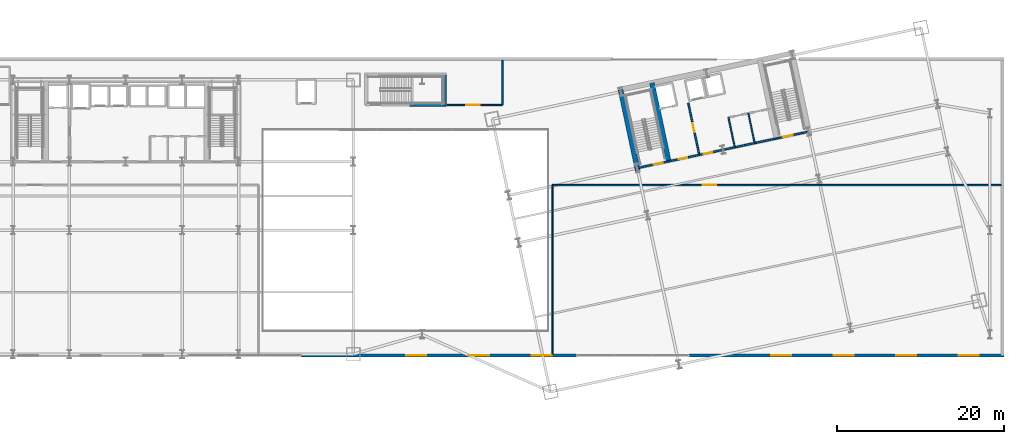
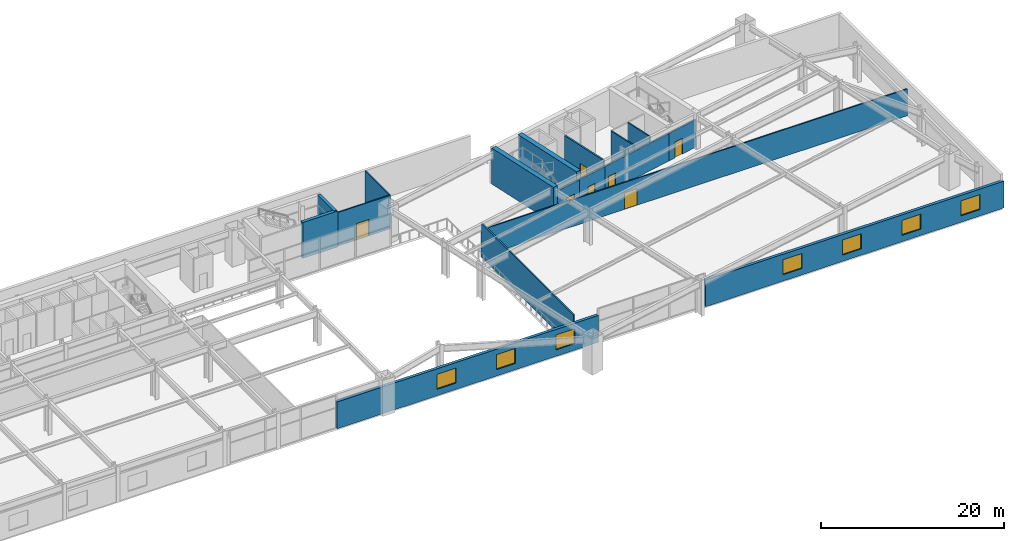
# One storey, part 19 of 30: 17 walls, 7 doors, 7 windows, 14 openings.
"""IFC4 building model written with IfcOpenShell, lengths in metres."""

from ifc_helpers import new_model, si_unit, direction, frame, frame_2d, origin, place, context, subcontext, project, spatial, rectangle, extrude, material, layer, layer_set, type_object, element, fill, save


model = new_model("IFC4")

# Units and contexts
model_context = context("Model", 3, precision=1e-05, world=origin(), true_north=direction((0.0, 1.0)))
body_context = subcontext(model_context, "Body", "Model", "MODEL_VIEW")
ifc_project = project(units=[si_unit("LENGTHUNIT", "METRE"), si_unit("AREAUNIT", "SQUARE_METRE"), si_unit("VOLUMEUNIT", "CUBIC_METRE"), si_unit("PLANEANGLEUNIT", "RADIAN"), si_unit("MASSUNIT", "GRAM", prefix="KILO")], contexts=[model_context])

# Site, building, storey
site_placement = place(None, origin())
site = spatial("IfcSite", under=ifc_project, at=site_placement, CompositionType="ELEMENT")
building_placement = place(site_placement, origin())
building = spatial("IfcBuilding", under=site, at=building_placement, Name="Haevon Station Towers", CompositionType="ELEMENT")
storey_placement = place(building_placement, frame((0.0, 0.0, 15.60009765625)))
storey = spatial("IfcBuildingStorey", under=building, at=storey_placement, Name="L03", CompositionType="ELEMENT", Elevation=15.60009765625)

# Wall, opening, door
ifc_material_1 = material(Name="Gypsum board on steel stud", Category="steel")
ifc_layer_1 = layer(ifc_material_1, 0.199951171875)
ifc_layer_set_1 = layer_set([ifc_layer_1], Name="Gypsum board on steel stud")
wall_type_1 = type_object("IfcWallType", Name="WL-COR200", PredefinedType="PARTITIONING", material=ifc_layer_set_1)
wall_1_placement = place(storey_placement, frame((98.75244140625, 37.4423828125, 0.0), z_axis=(0.0, 0.0, 1.0), x_axis=(0.978143537786, 0.207930804564, 0.0)))
wall_1 = element("IfcWall", 1, at=wall_1_placement, inside=storey, type_object=wall_type_1, Name="WL-ST-ST3-L03", PredefinedType="PARTITIONING", context=body_context, shape_type="SweptSolid", body=[
    extrude(rectangle(XDim=3.85009765625, YDim=0.199951171875, at=frame_2d((1.925048828125, 0.0))), origin(), (0.0, 0.0, 1.0), 3.679931640625),
])
opening_1_placement = place(wall_1_placement, frame((2.0, 0.0, 0.0)))
opening_1 = element("IfcOpeningElement", 2, at=opening_1_placement, cuts=wall_1, Name="Opening DR-ST-ST3-L03", PredefinedType="OPENING", context=body_context, shape_type="SweptSolid", body=[
    extrude(rectangle(XDim=1.1201171875, YDim=2.10009765625, at=frame_2d((0.56005859375, 1.050048828125))), frame((0.0, 0.10986328125, 0.0), z_axis=(0.0, -1.0, 0.0), x_axis=(1.0, 0.0, 0.0)), (0.0, 0.0, 1.0), 0.219970703125),
])
ifc_material_2 = material(Name="Engineered oak timber", Category="wood")
door_type_1 = type_object("IfcDoorType", Name="DR-ST-1120", OperationType="NOTDEFINED", PredefinedType="DOOR", material=ifc_material_2)
door_1_placement = place(opening_1_placement, origin())
door_1 = element("IfcDoor", 3, at=door_1_placement, inside=storey, type_object=door_type_1, Name="L03 Escape Stair ST3 Fire Door", OperationType="SINGLE_SWING_LEFT", OverallHeight=2.10009765625, OverallWidth=1.1201171875, PredefinedType="DOOR", context=body_context, shape_type="SweptSolid", body=[
    extrude(rectangle(XDim=1.1201171875, YDim=2.10009765625, at=frame_2d((0.56005859375, 1.050048828125))), frame((0.0, 0.02490234375, 0.0), z_axis=(0.0, -1.0, 0.0), x_axis=(1.0, 0.0, 0.0)), (0.0, 0.0, 1.0), 0.050048828125),
])
fill(opening_1, door_1)

wall_2_placement = place(storey_placement, frame((115.4296875, 40.9873046875, 0.0), z_axis=(0.0, 0.0, 1.0), x_axis=(0.978146596989, 0.207916413008, 0.0)))
wall_2 = element("IfcWall", 4, at=wall_2_placement, inside=storey, type_object=wall_type_1, Name="WL-ST-ST4-L03", PredefinedType="PARTITIONING", context=body_context, shape_type="SweptSolid", body=[
    extrude(rectangle(XDim=3.9501953125, YDim=0.199951171875, at=frame_2d((1.97509765625, 0.0))), origin(), (0.0, 0.0, 1.0), 3.679931640625),
])
opening_2_placement = place(wall_2_placement, frame((0.85009765625, 0.0, 0.0)))
opening_2 = element("IfcOpeningElement", 5, at=opening_2_placement, cuts=wall_2, Name="Opening DR-ST-ST4-L03", PredefinedType="OPENING", context=body_context, shape_type="SweptSolid", body=[
    extrude(rectangle(XDim=1.1201171875, YDim=2.10009765625, at=frame_2d((0.56005859375, 1.050048828125))), frame((0.0, 0.10986328125, 0.0), z_axis=(0.0, -1.0, 0.0), x_axis=(1.0, 0.0, 0.0)), (0.0, 0.0, 1.0), 0.219970703125),
])
door_2_placement = place(opening_2_placement, origin())
door_2 = element("IfcDoor", 6, at=door_2_placement, inside=storey, type_object=door_type_1, Name="L03 Escape Stair ST4 Fire Door", OperationType="SINGLE_SWING_RIGHT", OverallHeight=2.10009765625, OverallWidth=1.1201171875, PredefinedType="DOOR", context=body_context, shape_type="SweptSolid", body=[
    extrude(rectangle(XDim=1.1201171875, YDim=2.10009765625, at=frame_2d((0.56005859375, 1.050048828125))), frame((0.0, 0.02490234375, 0.0), z_axis=(0.0, -1.0, 0.0), x_axis=(1.0, 0.0, 0.0)), (0.0, 0.0, 1.0), 0.050048828125),
])
fill(opening_2, door_2)

wall_3_placement = place(storey_placement, frame((106.186279296875, 39.0224609375, 0.0), z_axis=(0.0, 0.0, 1.0), x_axis=(-0.207916691923, 0.978146537703, 0.0)))
wall_3 = element("IfcWall", 7, at=wall_3_placement, inside=storey, type_object=wall_type_1, Name="WL-T2FFL-L03-E", PredefinedType="PARTITIONING", context=body_context, shape_type="SweptSolid", body=[
    extrude(rectangle(XDim=6.35009765625, YDim=0.199951171875, at=frame_2d((3.175048828125, 0.0))), origin(), (0.0, 0.0, 1.0), 4.47998046875),
])
opening_3_placement = place(wall_3_placement, frame((2.800048828125, 0.0, 0.0)))
opening_3 = element("IfcOpeningElement", 8, at=opening_3_placement, cuts=wall_3, Name="Opening DR-T2FFL-L03-E", PredefinedType="OPENING", context=body_context, shape_type="SweptSolid", body=[
    extrude(rectangle(XDim=1.050048828125, YDim=2.10009765625, at=frame_2d((0.52490234375, 1.050048828125))), frame((0.0, 0.10986328125, 0.0), z_axis=(0.0, -1.0, 0.0), x_axis=(1.0, 0.0, 0.0)), (0.0, 0.0, 1.0), 0.219970703125),
])
door_type_2 = type_object("IfcDoorType", Name="DR-FD60-1050", OperationType="NOTDEFINED", PredefinedType="DOOR", material=ifc_material_2)
door_3_placement = place(opening_3_placement, origin())
door_3 = element("IfcDoor", 9, at=door_3_placement, inside=storey, type_object=door_type_2, Name="L03 Tower 2 Firefighting Lift Lobby Door E", OperationType="SINGLE_SWING_LEFT", OverallHeight=2.10009765625, OverallWidth=1.050048828125, PredefinedType="DOOR", context=body_context, shape_type="SweptSolid", body=[
    extrude(rectangle(XDim=1.050048828125, YDim=2.10009765625, at=frame_2d((0.52490234375, 1.050048828125))), frame((0.0, 0.02490234375, 0.0), z_axis=(0.0, -1.0, 0.0), x_axis=(1.0, 0.0, 0.0)), (0.0, 0.0, 1.0), 0.050048828125),
])
fill(opening_3, door_3)

wall_4_placement = place(storey_placement, frame((102.518310546875, 38.242919921875, 0.0), z_axis=(0.0, 0.0, 1.0), x_axis=(0.978153555683, 0.20788367301, 0.0)))
wall_4 = element("IfcWall", 10, at=wall_4_placement, inside=storey, type_object=wall_type_1, Name="WL-T2FFL-L03-S", PredefinedType="PARTITIONING", context=body_context, shape_type="SweptSolid", body=[
    extrude(rectangle(XDim=3.75, YDim=0.199951171875, at=frame_2d((1.875, 0.0))), origin(), (0.0, 0.0, 1.0), 3.679931640625),
])
opening_4_placement = place(wall_4_placement, frame((1.25, 0.0, 0.0)))
opening_4 = element("IfcOpeningElement", 11, at=opening_4_placement, cuts=wall_4, Name="Opening DR-T2FFL-L03-S", PredefinedType="OPENING", context=body_context, shape_type="SweptSolid", body=[
    extrude(rectangle(XDim=1.050048828125, YDim=2.10009765625, at=frame_2d((0.52490234375, 1.050048828125))), frame((0.0, 0.10986328125, 0.0), z_axis=(0.0, -1.0, 0.0), x_axis=(1.0, 0.0, 0.0)), (0.0, 0.0, 1.0), 0.219970703125),
])
door_4_placement = place(opening_4_placement, origin())
door_4 = element("IfcDoor", 12, at=door_4_placement, inside=storey, type_object=door_type_2, Name="L03 Tower 2 Firefighting Lift Lobby Door S", OperationType="SINGLE_SWING_RIGHT", OverallHeight=2.10009765625, OverallWidth=1.050048828125, PredefinedType="DOOR", context=body_context, shape_type="SweptSolid", body=[
    extrude(rectangle(XDim=1.050048828125, YDim=2.10009765625, at=frame_2d((0.52490234375, 1.050048828125))), frame((0.0, 0.02490234375, 0.0), z_axis=(0.0, -1.0, 0.0), x_axis=(1.0, 0.0, 0.0)), (0.0, 0.0, 1.0), 0.050048828125),
])
fill(opening_4, door_4)

wall_5_placement = place(storey_placement, frame((106.186279296875, 39.0224609375, 0.0), z_axis=(0.0, 0.0, 1.0), x_axis=(0.978145519981, 0.20792147975, 0.0)))
wall_5 = element("IfcWall", 13, at=wall_5_placement, inside=storey, type_object=wall_type_1, Name="WL-T2CLB-L03", PredefinedType="PARTITIONING", context=body_context, shape_type="SweptSolid", body=[
    extrude(rectangle(XDim=9.449951171875, YDim=0.199951171875, at=frame_2d((4.72509765625, 0.0))), origin(), (0.0, 0.0, 1.0), 3.679931640625),
])
opening_5_placement = place(wall_5_placement, frame((0.550048828125, 0.0, 0.0)))
opening_5 = element("IfcOpeningElement", 14, at=opening_5_placement, cuts=wall_5, Name="Opening DR-T2CLB-L03-1", PredefinedType="OPENING", context=body_context, shape_type="SweptSolid", body=[
    extrude(rectangle(XDim=1.050048828125, YDim=2.10009765625, at=frame_2d((0.52490234375, 1.050048828125))), frame((0.0, 0.10986328125, 0.0), z_axis=(0.0, -1.0, 0.0), x_axis=(1.0, 0.0, 0.0)), (0.0, 0.0, 1.0), 0.219970703125),
])
door_5_placement = place(opening_5_placement, origin())
door_5 = element("IfcDoor", 15, at=door_5_placement, inside=storey, type_object=door_type_2, Name="L03 Tower 2 Core Lift Lobby Door 1", OperationType="SINGLE_SWING_LEFT", OverallHeight=2.10009765625, OverallWidth=1.050048828125, PredefinedType="DOOR", context=body_context, shape_type="SweptSolid", body=[
    extrude(rectangle(XDim=1.050048828125, YDim=2.10009765625, at=frame_2d((0.52490234375, 1.050048828125))), frame((0.0, 0.02490234375, 0.0), z_axis=(0.0, -1.0, 0.0), x_axis=(1.0, 0.0, 0.0)), (0.0, 0.0, 1.0), 0.050048828125),
])
fill(opening_5, door_5)

# Walls
ifc_material_3 = material(Name="Concrete C60/75", Category="concrete")
ifc_layer_2 = layer(ifc_material_3, 0.39990234375)
ifc_layer_set_2 = layer_set([ifc_layer_2], Name="Concrete C60/75")
wall_type_2 = type_object("IfcWallType", Name="WL-CR400", PredefinedType="SHEAR", material=ifc_layer_set_2)
wall_6_placement = place(storey_placement, frame((75.699951171875, 45.0, 0.0), z_axis=(0.0, 0.0, 1.0), x_axis=(0.0, 1.0, 0.0)))
element("IfcWall", 16, at=wall_6_placement, inside=storey, type_object=wall_type_2, Name="WL-ST6CR-L03-E", PredefinedType="SHEAR", context=body_context, shape_type="SweptSolid", body=[
    extrude(rectangle(XDim=3.60009765625, YDim=0.39990234375, at=frame_2d((1.800048828125, 0.0))), origin(), (0.0, 0.0, 1.0), 4.7998046875),
])
wall_7_placement = place(storey_placement, frame((71.5, 45.0, 0.0), z_axis=(0.0, 0.0, 1.0), x_axis=(1.0, 0.0, 0.0)))
element("IfcWall", 17, at=wall_7_placement, inside=storey, type_object=wall_type_2, Name="WL-ST6CR-L03-S2", PredefinedType="SHEAR", context=body_context, shape_type="SweptSolid", body=[
    extrude(rectangle(XDim=4.39990234375, YDim=0.39990234375, at=frame_2d((2.199951171875, 0.0))), origin(), (0.0, 0.0, 1.0), 4.7998046875),
])
ifc_layer_3 = layer(ifc_material_3, 0.60009765625)
ifc_layer_set_3 = layer_set([ifc_layer_3], Name="Concrete C60/75")
wall_type_3 = type_object("IfcWallType", Name="WL-CR600", PredefinedType="SHEAR", material=ifc_layer_set_3)
wall_8_placement = place(storey_placement, frame((98.8603515625, 36.933837890625, 0.0), z_axis=(0.0, 0.0, 1.0), x_axis=(-0.20790924889, 0.978148119778, 0.0)))
element("IfcWall", 18, at=wall_8_placement, inside=storey, type_object=wall_type_3, Name="WL-T2CR-L03-W", PredefinedType="SHEAR", context=body_context, shape_type="SweptSolid", body=[
    extrude(rectangle(XDim=10.119873046875, YDim=0.60009765625, at=frame_2d((5.06005859375, 0.0))), origin(), (0.0, 0.0, 1.0), 4.7998046875),
])
wall_9_placement = place(storey_placement, frame((102.518310546875, 38.242919921875, 0.0), z_axis=(0.0, 0.0, 1.0), x_axis=(-0.207927495108, 0.978144241295, 0.0)))
element("IfcWall", 19, at=wall_9_placement, inside=storey, type_object=wall_type_3, Name="WL-T2CR-L03-M1", PredefinedType="SHEAR", context=body_context, shape_type="SweptSolid", body=[
    extrude(rectangle(XDim=9.599853515625, YDim=0.60009765625, at=frame_2d((4.7998046875, 0.0))), origin(), (0.0, 0.0, 1.0), 4.7998046875),
])

# Wall, openings, windows
ifc_material_4 = material(Name="Precast concrete C45/55", Category="concrete")
ifc_layer_4 = layer(ifc_material_4, 0.360107421875)
ifc_layer_set_4 = layer_set([ifc_layer_4], Name="Precast concrete C45/55")
wall_type_4 = type_object("IfcWallType", Name="WL-EXT-POD360", PredefinedType="SOLIDWALL", material=ifc_layer_set_4)
wall_10_placement = place(storey_placement, frame((142.679931640625, 15.0, 0.0), z_axis=(0.0, 0.0, 1.0), x_axis=(-1.0, 0.0, 0.0)))
wall_10 = element("IfcWall", 20, at=wall_10_placement, inside=storey, type_object=wall_type_4, Name="WL-POD-L03-S1", PredefinedType="SOLIDWALL", context=body_context, shape_type="SweptSolid", body=[
    extrude(rectangle(XDim=37.679931640625, YDim=0.360107421875, at=frame_2d((18.83984375, 0.0))), origin(), (0.0, 0.0, 1.0), 3.579833984375),
])
opening_6_placement = place(wall_10_placement, frame((3.0, 0.0, 0.85009765625)))
opening_6 = element("IfcOpeningElement", 21, at=opening_6_placement, cuts=wall_10, Name="Opening WN-P240", PredefinedType="OPENING", context=body_context, shape_type="SweptSolid", body=[
    extrude(rectangle(XDim=2.39990234375, YDim=2.0, at=frame_2d((1.199951171875, 1.0))), frame((0.0, 0.18994140625, 0.0), z_axis=(0.0, -1.0, 0.0), x_axis=(1.0, 0.0, 0.0)), (0.0, 0.0, 1.0), 0.380126953125),
])
opening_7_placement = place(wall_10_placement, frame((10.5, 0.0, 0.85009765625)))
opening_7 = element("IfcOpeningElement", 22, at=opening_7_placement, cuts=wall_10, Name="Opening WN-P240", PredefinedType="OPENING", context=body_context, shape_type="SweptSolid", body=[
    extrude(rectangle(XDim=2.39990234375, YDim=2.0, at=frame_2d((1.199951171875, 1.0))), frame((0.0, 0.18994140625, 0.0), z_axis=(0.0, -1.0, 0.0), x_axis=(1.0, 0.0, 0.0)), (0.0, 0.0, 1.0), 0.380126953125),
])
opening_8_placement = place(wall_10_placement, frame((18.0, 0.0, 0.85009765625)))
opening_8 = element("IfcOpeningElement", 23, at=opening_8_placement, cuts=wall_10, Name="Opening WN-P240", PredefinedType="OPENING", context=body_context, shape_type="SweptSolid", body=[
    extrude(rectangle(XDim=2.39990234375, YDim=2.0, at=frame_2d((1.199951171875, 1.0))), frame((0.0, 0.18994140625, 0.0), z_axis=(0.0, -1.0, 0.0), x_axis=(1.0, 0.0, 0.0)), (0.0, 0.0, 1.0), 0.380126953125),
])
opening_9_placement = place(wall_10_placement, frame((25.5, 0.0, 0.85009765625)))
opening_9 = element("IfcOpeningElement", 24, at=opening_9_placement, cuts=wall_10, Name="Opening WN-P240", PredefinedType="OPENING", context=body_context, shape_type="SweptSolid", body=[
    extrude(rectangle(XDim=2.39990234375, YDim=2.0, at=frame_2d((1.199951171875, 1.0))), frame((0.0, 0.18994140625, 0.0), z_axis=(0.0, -1.0, 0.0), x_axis=(1.0, 0.0, 0.0)), (0.0, 0.0, 1.0), 0.380126953125),
])
ifc_material_5 = material(Name="Low-E triple glazing in thermally broken aluminium", Category="aluminium")
window_type = type_object("IfcWindowType", Name="WN-P240", PartitioningType="SINGLE_PANEL", PredefinedType="WINDOW", material=ifc_material_5)
window_1_placement = place(opening_6_placement, origin())
window_1 = element("IfcWindow", 25, at=window_1_placement, inside=storey, type_object=window_type, Name="WN-POD-L03-S1-01", OverallHeight=2.0, OverallWidth=2.39990234375, PartitioningType="SINGLE_PANEL", PredefinedType="WINDOW", context=body_context, shape_type="SweptSolid", body=[
    extrude(rectangle(XDim=2.39990234375, YDim=2.0, at=frame_2d((1.199951171875, 1.0))), frame((0.0, 0.030029296875, 0.0), z_axis=(0.0, -1.0, 0.0), x_axis=(1.0, 0.0, 0.0)), (0.0, 0.0, 1.0), 0.06005859375),
])
fill(opening_6, window_1)
window_2_placement = place(opening_7_placement, origin())
window_2 = element("IfcWindow", 26, at=window_2_placement, inside=storey, type_object=window_type, Name="WN-POD-L03-S1-02", OverallHeight=2.0, OverallWidth=2.39990234375, PartitioningType="SINGLE_PANEL", PredefinedType="WINDOW", context=body_context, shape_type="SweptSolid", body=[
    extrude(rectangle(XDim=2.39990234375, YDim=2.0, at=frame_2d((1.199951171875, 1.0))), frame((0.0, 0.030029296875, 0.0), z_axis=(0.0, -1.0, 0.0), x_axis=(1.0, 0.0, 0.0)), (0.0, 0.0, 1.0), 0.06005859375),
])
fill(opening_7, window_2)
window_3_placement = place(opening_8_placement, origin())
window_3 = element("IfcWindow", 27, at=window_3_placement, inside=storey, type_object=window_type, Name="WN-POD-L03-S1-03", OverallHeight=2.0, OverallWidth=2.39990234375, PartitioningType="SINGLE_PANEL", PredefinedType="WINDOW", context=body_context, shape_type="SweptSolid", body=[
    extrude(rectangle(XDim=2.39990234375, YDim=2.0, at=frame_2d((1.199951171875, 1.0))), frame((0.0, 0.030029296875, 0.0), z_axis=(0.0, -1.0, 0.0), x_axis=(1.0, 0.0, 0.0)), (0.0, 0.0, 1.0), 0.06005859375),
])
fill(opening_8, window_3)
window_4_placement = place(opening_9_placement, origin())
window_4 = element("IfcWindow", 28, at=window_4_placement, inside=storey, type_object=window_type, Name="WN-POD-L03-S1-04", OverallHeight=2.0, OverallWidth=2.39990234375, PartitioningType="SINGLE_PANEL", PredefinedType="WINDOW", context=body_context, shape_type="SweptSolid", body=[
    extrude(rectangle(XDim=2.39990234375, YDim=2.0, at=frame_2d((1.199951171875, 1.0))), frame((0.0, 0.030029296875, 0.0), z_axis=(0.0, -1.0, 0.0), x_axis=(1.0, 0.0, 0.0)), (0.0, 0.0, 1.0), 0.06005859375),
])
fill(opening_9, window_4)

wall_11_placement = place(storey_placement, frame((91.5, 15.0, 0.0), z_axis=(0.0, 0.0, 1.0), x_axis=(-1.0, 0.0, 0.0)))
wall_11 = element("IfcWall", 29, at=wall_11_placement, inside=storey, type_object=wall_type_4, Name="WL-POD-L03-S2", PredefinedType="SOLIDWALL", context=body_context, shape_type="SweptSolid", body=[
    extrude(rectangle(XDim=33.0, YDim=0.360107421875, at=frame_2d((16.5, 0.0))), origin(), (0.0, 0.0, 1.0), 3.579833984375),
])
opening_10_placement = place(wall_11_placement, frame((3.0, 0.0, 0.85009765625)))
opening_10 = element("IfcOpeningElement", 30, at=opening_10_placement, cuts=wall_11, Name="Opening WN-P240", PredefinedType="OPENING", context=body_context, shape_type="SweptSolid", body=[
    extrude(rectangle(XDim=2.39990234375, YDim=2.0, at=frame_2d((1.199951171875, 1.0))), frame((0.0, 0.18994140625, 0.0), z_axis=(0.0, -1.0, 0.0), x_axis=(1.0, 0.0, 0.0)), (0.0, 0.0, 1.0), 0.380126953125),
])
opening_11_placement = place(wall_11_placement, frame((10.5, 0.0, 0.85009765625)))
opening_11 = element("IfcOpeningElement", 31, at=opening_11_placement, cuts=wall_11, Name="Opening WN-P240", PredefinedType="OPENING", context=body_context, shape_type="SweptSolid", body=[
    extrude(rectangle(XDim=2.39990234375, YDim=2.0, at=frame_2d((1.199951171875, 1.0))), frame((0.0, 0.18994140625, 0.0), z_axis=(0.0, -1.0, 0.0), x_axis=(1.0, 0.0, 0.0)), (0.0, 0.0, 1.0), 0.380126953125),
])
opening_12_placement = place(wall_11_placement, frame((18.0, 0.0, 0.85009765625)))
opening_12 = element("IfcOpeningElement", 32, at=opening_12_placement, cuts=wall_11, Name="Opening WN-P240", PredefinedType="OPENING", context=body_context, shape_type="SweptSolid", body=[
    extrude(rectangle(XDim=2.39990234375, YDim=2.0, at=frame_2d((1.199951171875, 1.0))), frame((0.0, 0.18994140625, 0.0), z_axis=(0.0, -1.0, 0.0), x_axis=(1.0, 0.0, 0.0)), (0.0, 0.0, 1.0), 0.380126953125),
])
window_5_placement = place(opening_10_placement, origin())
window_5 = element("IfcWindow", 33, at=window_5_placement, inside=storey, type_object=window_type, Name="WN-POD-L03-S2-01", OverallHeight=2.0, OverallWidth=2.39990234375, PartitioningType="SINGLE_PANEL", PredefinedType="WINDOW", context=body_context, shape_type="SweptSolid", body=[
    extrude(rectangle(XDim=2.39990234375, YDim=2.0, at=frame_2d((1.199951171875, 1.0))), frame((0.0, 0.030029296875, 0.0), z_axis=(0.0, -1.0, 0.0), x_axis=(1.0, 0.0, 0.0)), (0.0, 0.0, 1.0), 0.06005859375),
])
fill(opening_10, window_5)
window_6_placement = place(opening_11_placement, origin())
window_6 = element("IfcWindow", 34, at=window_6_placement, inside=storey, type_object=window_type, Name="WN-POD-L03-S2-02", OverallHeight=2.0, OverallWidth=2.39990234375, PartitioningType="SINGLE_PANEL", PredefinedType="WINDOW", context=body_context, shape_type="SweptSolid", body=[
    extrude(rectangle(XDim=2.39990234375, YDim=2.0, at=frame_2d((1.199951171875, 1.0))), frame((0.0, 0.030029296875, 0.0), z_axis=(0.0, -1.0, 0.0), x_axis=(1.0, 0.0, 0.0)), (0.0, 0.0, 1.0), 0.06005859375),
])
fill(opening_11, window_6)
window_7_placement = place(opening_12_placement, origin())
window_7 = element("IfcWindow", 35, at=window_7_placement, inside=storey, type_object=window_type, Name="WN-POD-L03-S2-03", OverallHeight=2.0, OverallWidth=2.39990234375, PartitioningType="SINGLE_PANEL", PredefinedType="WINDOW", context=body_context, shape_type="SweptSolid", body=[
    extrude(rectangle(XDim=2.39990234375, YDim=2.0, at=frame_2d((1.199951171875, 1.0))), frame((0.0, 0.030029296875, 0.0), z_axis=(0.0, -1.0, 0.0), x_axis=(1.0, 0.0, 0.0)), (0.0, 0.0, 1.0), 0.06005859375),
])
fill(opening_12, window_7)

# Wall
ifc_layer_5 = layer(ifc_material_1, 0.159912109375)
ifc_layer_set_5 = layer_set([ifc_layer_5], Name="Gypsum board on steel stud")
wall_type_5 = type_object("IfcWallType", Name="WL-PRT160", PredefinedType="PARTITIONING", material=ifc_layer_set_5)
wall_12_placement = place(storey_placement, frame((88.60009765625, 15.14990234375, 0.0), z_axis=(0.0, 0.0, 1.0), x_axis=(0.0, 1.0, 0.0)))
element("IfcWall", 36, at=wall_12_placement, inside=storey, type_object=wall_type_5, Name="WL-L03-EAST", PredefinedType="PARTITIONING", context=body_context, shape_type="SweptSolid", body=[
    extrude(rectangle(XDim=20.25, YDim=0.159912109375, at=frame_2d((10.125, 0.0))), origin(), (0.0, 0.0, 1.0), 4.47998046875),
])

# Wall, opening, door
wall_13_placement = place(storey_placement, frame((88.60009765625, 35.39990234375, 0.0), z_axis=(0.0, 0.0, 1.0), x_axis=(1.0, 0.0, 0.0)))
wall_13 = element("IfcWall", 37, at=wall_13_placement, inside=storey, type_object=wall_type_5, Name="WL-L03-EASTN", PredefinedType="PARTITIONING", context=body_context, shape_type="SweptSolid", body=[
    extrude(rectangle(XDim=53.75, YDim=0.159912109375, at=frame_2d((26.875, 0.0))), origin(), (0.0, 0.0, 1.0), 3.579833984375),
])
opening_13_placement = place(wall_13_placement, frame((18.0, 0.0, 0.0)))
opening_13 = element("IfcOpeningElement", 38, at=opening_13_placement, cuts=wall_13, Name="Opening DR-WL-L03-EASTN-1", PredefinedType="OPENING", context=body_context, shape_type="SweptSolid", body=[
    extrude(rectangle(XDim=1.60009765625, YDim=2.199951171875, at=frame_2d((0.800048828125, 1.10009765625))), frame((0.0, 0.08984375, 0.0), z_axis=(0.0, -1.0, 0.0), x_axis=(1.0, 0.0, 0.0)), (0.0, 0.0, 1.0), 0.179931640625),
])
door_type_3 = type_object("IfcDoorType", Name="DR-POD-1600", OperationType="NOTDEFINED", PredefinedType="DOOR", material=ifc_material_2)
door_6_placement = place(opening_13_placement, origin())
door_6 = element("IfcDoor", 39, at=door_6_placement, inside=storey, type_object=door_type_3, Name="L03 Interior Door WL-L03-EASTN-1", OperationType="DOUBLE_DOOR_SINGLE_SWING", OverallHeight=2.199951171875, OverallWidth=1.60009765625, PredefinedType="DOOR", context=body_context, shape_type="SweptSolid", body=[
    extrude(rectangle(XDim=1.60009765625, YDim=2.199951171875, at=frame_2d((0.800048828125, 1.10009765625))), frame((0.0, 0.02490234375, 0.0), z_axis=(0.0, -1.0, 0.0), x_axis=(1.0, 0.0, 0.0)), (0.0, 0.0, 1.0), 0.050048828125),
])
fill(opening_13, door_6)

wall_14_placement = place(storey_placement, frame((76.0, 45.0, 0.0), z_axis=(0.0, 0.0, 1.0), x_axis=(1.0, 0.0, 0.0)))
wall_14 = element("IfcWall", 40, at=wall_14_placement, inside=storey, type_object=wall_type_5, Name="WL-L03-NORTH", PredefinedType="PARTITIONING", context=body_context, shape_type="SweptSolid", body=[
    extrude(rectangle(XDim=6.60009765625, YDim=0.159912109375, at=frame_2d((3.300048828125, 0.0))), origin(), (0.0, 0.0, 1.0), 4.47998046875),
])
opening_14_placement = place(wall_14_placement, frame((2.300048828125, 0.0, 0.0)))
opening_14 = element("IfcOpeningElement", 41, at=opening_14_placement, cuts=wall_14, Name="Opening DR-WL-L03-NORTH-1", PredefinedType="OPENING", context=body_context, shape_type="SweptSolid", body=[
    extrude(rectangle(XDim=1.60009765625, YDim=2.199951171875, at=frame_2d((0.800048828125, 1.10009765625))), frame((0.0, 0.08984375, 0.0), z_axis=(0.0, -1.0, 0.0), x_axis=(1.0, 0.0, 0.0)), (0.0, 0.0, 1.0), 0.179931640625),
])
door_7_placement = place(opening_14_placement, origin())
door_7 = element("IfcDoor", 42, at=door_7_placement, inside=storey, type_object=door_type_3, Name="L03 Interior Door WL-L03-NORTH-1", OperationType="DOUBLE_DOOR_SINGLE_SWING", OverallHeight=2.199951171875, OverallWidth=1.60009765625, PredefinedType="DOOR", context=body_context, shape_type="SweptSolid", body=[
    extrude(rectangle(XDim=1.60009765625, YDim=2.199951171875, at=frame_2d((0.800048828125, 1.10009765625))), frame((0.0, 0.02490234375, 0.0), z_axis=(0.0, -1.0, 0.0), x_axis=(1.0, 0.0, 0.0)), (0.0, 0.0, 1.0), 0.050048828125),
])
fill(opening_14, door_7)

# Walls
wall_15_placement = place(storey_placement, frame((82.60009765625, 45.0, 0.0), z_axis=(0.0, 0.0, 1.0), x_axis=(0.0, 1.0, 0.0)))
element("IfcWall", 43, at=wall_15_placement, inside=storey, type_object=wall_type_5, Name="WL-L03-NORTHE", PredefinedType="PARTITIONING", context=body_context, shape_type="SweptSolid", body=[
    extrude(rectangle(XDim=5.35009765625, YDim=0.159912109375, at=frame_2d((2.675048828125, 0.0))), origin(), (0.0, 0.0, 1.0), 4.47998046875),
])
for number, where, z_axis, x_axis, name in (
    (44, (110.441162109375, 39.927001953125, 0.0), (0.0, 0.0, 1.0), (-0.207884354546, 0.978153410838, 0.0), "WL-T2CW-L03-01"),
    (45, (112.818115234375, 40.43212890625, 0.0), (0.0, 0.0, 1.0), (-0.207884354546, 0.978153410838, 0.0), "WL-T2CW-L03-02"),
):
    element("IfcWall", number, at=place(storey_placement, frame(where, z_axis=z_axis, x_axis=x_axis)), inside=storey, type_object=wall_type_5, Name=name, PredefinedType="PARTITIONING", context=body_context, shape_type="SweptSolid", body=[
        extrude(rectangle(XDim=3.650146484375, YDim=0.159912109375, at=frame_2d((1.8251953125, 0.0))), origin(), (0.0, 0.0, 1.0), 4.47998046875),
    ])

save(model, "model.ifc")
